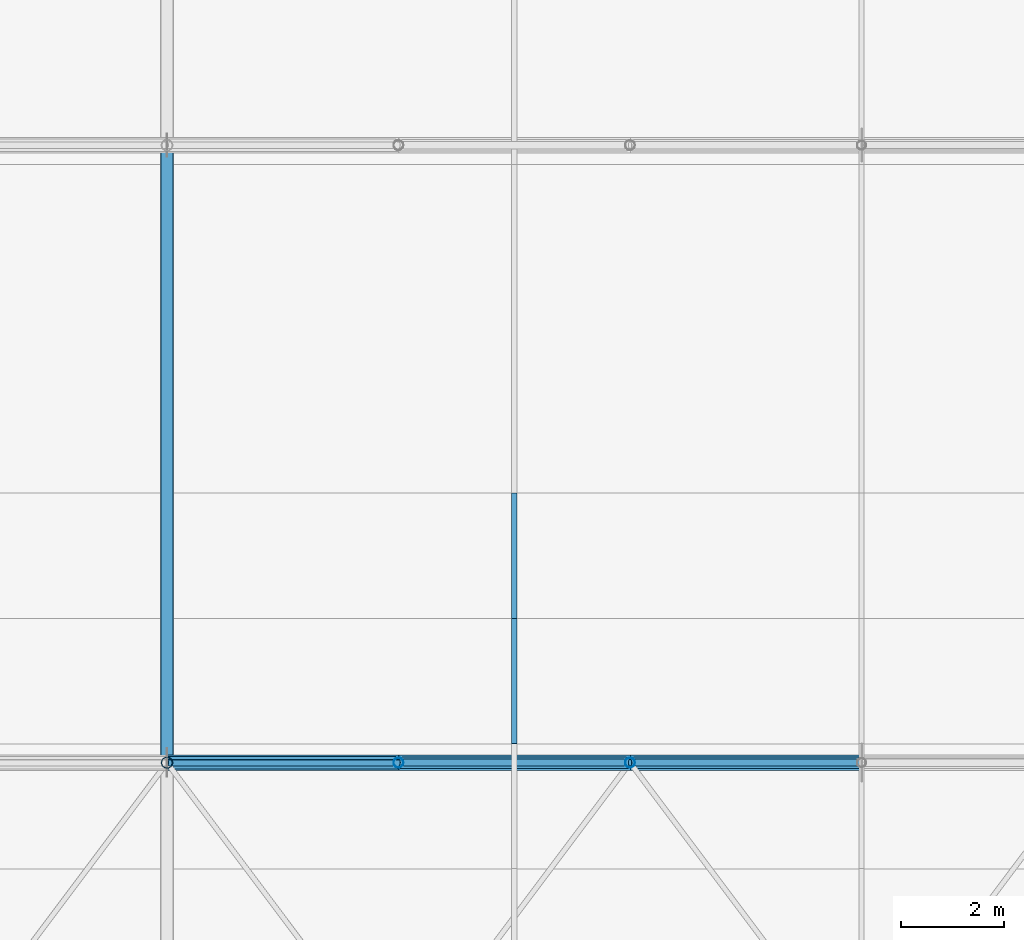
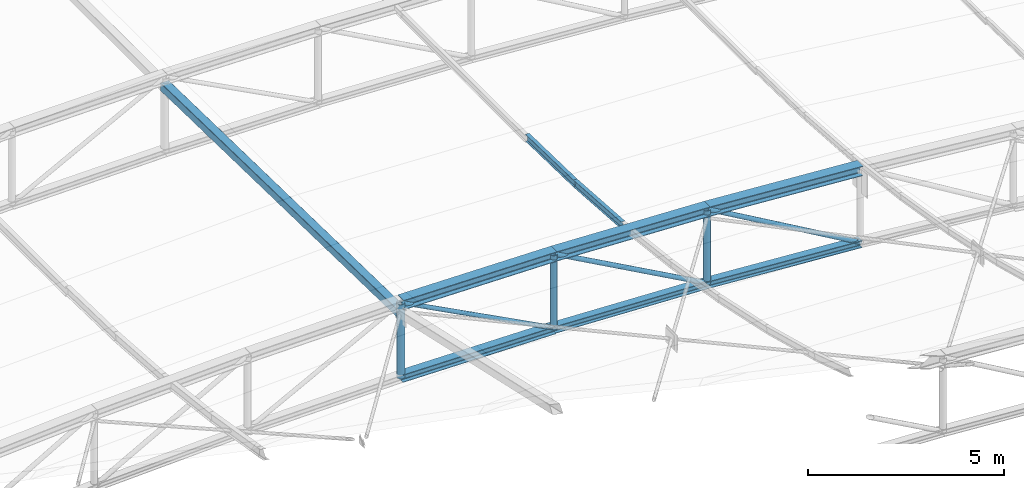
# One storey, part 90 of 262: 15 members.
"""IFC4 building model written with IfcOpenShell, lengths in metres."""

from ifc_helpers import new_model, si_unit, derived_unit, direction, frame, origin, origin_2d, place, context, subcontext, project, spatial, hollow_rectangle, hollow_circle, i_section, extrude, material, material_profile, profile_set, type_object, element, save


model = new_model("IFC4")

# Units and contexts
model_context = context("Model", 3, precision=1e-05, world=origin(), true_north=direction((0.0, 1.0)))
body_context = subcontext(model_context, "Body", "Model", "MODEL_VIEW")
ifc_project = project(units=[si_unit("LENGTHUNIT", "METRE"), si_unit("AREAUNIT", "SQUARE_METRE"), si_unit("VOLUMEUNIT", "CUBIC_METRE"), si_unit("PLANEANGLEUNIT", "RADIAN"), si_unit("MASSUNIT", "GRAM", prefix="KILO"), derived_unit("THERMALTRANSMITTANCEUNIT", [(si_unit("POWERUNIT", "WATT"), 1), (si_unit("LENGTHUNIT", "METRE"), -2), (si_unit("THERMODYNAMICTEMPERATUREUNIT", "KELVIN"), -1)])], contexts=[model_context])

# Site, building, storey
site_placement = place(None, origin())
site = spatial("IfcSite", under=ifc_project, at=site_placement, CompositionType="ELEMENT")
building_placement = place(site_placement, origin())
building = spatial("IfcBuilding", under=site, at=building_placement, Name="Almenara Railside Exhibition Hall", CompositionType="ELEMENT")
storey_placement = place(building_placement, frame((0.0, 0.0, 21.699951171875)))
storey = spatial("IfcBuildingStorey", under=building, at=storey_placement, Name="RF", CompositionType="ELEMENT", Elevation=21.699951171875)

# Members
ifc_material = material(Name="Structural steel S355JR", Category="steel")
ifc_material_profile_1 = material_profile(ifc_material, i_section(OverallWidth=0.239990234375, OverallDepth=0.239990234375, WebThickness=0.010009765625, FlangeThickness=0.01708984375, FilletRadius=0.02099609375, at=origin_2d()), Name="HEB 240")
ifc_profile_set_1 = profile_set([ifc_material_profile_1], Name="Structural steel S355JR")
member_type_1 = type_object("IfcMemberType", Name="Arched Crown Bottom Chord HEB 240 S355JR", PredefinedType="CHORD", material=ifc_profile_set_1)
member_1_placement = place(storey_placement, frame((39.0, 72.0, 0.064697265625), z_axis=(0.999908030213, 0.0, -0.013562120635), x_axis=(0.0, 1.0, 0.0)))
element("IfcMember", 1, at=member_1_placement, inside=storey, type_object=member_type_1, Name="MEM-BC-V1-02-06", PredefinedType="CHORD", context=body_context, shape_type="SweptSolid", body=[
    extrude(i_section(OverallWidth=0.239990234375, OverallDepth=0.239990234375, WebThickness=0.010009765625, FlangeThickness=0.01708984375, FilletRadius=0.02099609375, at=origin_2d()), origin(), (0.0, 0.0, 1.0), 4.50048828125),
])
ifc_material_profile_2 = material_profile(ifc_material, i_section(OverallWidth=0.300048828125, OverallDepth=0.300048828125, WebThickness=0.010986328125, FlangeThickness=0.01904296875, FilletRadius=0.027099609375, at=origin_2d()), Name="HEB 300")
ifc_profile_set_2 = profile_set([ifc_material_profile_2], Name="Structural steel S355JR")
member_type_2 = type_object("IfcMemberType", Name="Arched Inner Top Chord HEB 300 S355JR", PredefinedType="CHORD", material=ifc_profile_set_2)
member_2_placement = place(storey_placement, frame((39.0, 72.0, 2.36474609375), z_axis=(0.999908030213, 0.0, -0.013562120635), x_axis=(0.0, 1.0, 0.0)))
element("IfcMember", 2, at=member_2_placement, inside=storey, type_object=member_type_2, Name="MEM-TC-V1-02-06", PredefinedType="CHORD", context=body_context, shape_type="SweptSolid", body=[
    extrude(i_section(OverallWidth=0.300048828125, OverallDepth=0.300048828125, WebThickness=0.010986328125, FlangeThickness=0.01904296875, FilletRadius=0.027099609375, at=origin_2d()), origin(), (0.0, 0.0, 1.0), 4.50048828125),
])
member_3_placement = place(storey_placement, frame((43.5, 72.0, 2.3037109375), z_axis=(0.99917098071, 0.0, -0.04071057978), x_axis=(0.0, 1.0, 0.0)))
element("IfcMember", 3, at=member_3_placement, inside=storey, type_object=member_type_2, Name="MEM-TC-V1-02-07", PredefinedType="CHORD", context=body_context, shape_type="SweptSolid", body=[
    extrude(i_section(OverallWidth=0.300048828125, OverallDepth=0.300048828125, WebThickness=0.010986328125, FlangeThickness=0.01904296875, FilletRadius=0.027099609375, at=origin_2d()), origin(), (0.0, 0.0, 1.0), 4.503662109375),
])
member_4_placement = place(storey_placement, frame((48.0, 72.0, 2.120361328125), z_axis=(0.997701025897, 0.0, -0.067769188608), x_axis=(0.0, 1.0, 0.0)))
element("IfcMember", 4, at=member_4_placement, inside=storey, type_object=member_type_2, Name="MEM-TC-V1-02-08", PredefinedType="CHORD", context=body_context, shape_type="SweptSolid", body=[
    extrude(i_section(OverallWidth=0.300048828125, OverallDepth=0.300048828125, WebThickness=0.010986328125, FlangeThickness=0.01904296875, FilletRadius=0.027099609375, at=origin_2d()), origin(), (0.0, 0.0, 1.0), 4.51025390625),
])
ifc_material_profile_3 = material_profile(ifc_material, hollow_rectangle(XDim=0.25, YDim=0.25, WallThickness=0.010009765625, InnerFilletRadius=0.010009765625, OuterFilletRadius=0.02001953125, at=origin_2d()), Name="SHS 250x250x10")
ifc_profile_set_3 = profile_set([ifc_material_profile_3], Name="Structural steel S355JR")
member_type_3 = type_object("IfcMemberType", Name="Heavy Gable Sway Strut SHS 250x250x10 S355JR", PredefinedType="BRACE", material=ifc_profile_set_3)
member_5_placement = place(storey_placement, frame((39.0, 72.0, 2.084716796875), z_axis=(0.0, 0.999756898414, -0.022048675087), x_axis=(-1.0, 0.0, 0.0)))
element("IfcMember", 5, at=member_5_placement, inside=storey, type_object=member_type_3, Name="MEM-ES-V1-02", PredefinedType="BRACE", context=body_context, shape_type="SweptSolid", body=[
    extrude(hollow_rectangle(XDim=0.25, YDim=0.25, WallThickness=0.010009765625, InnerFilletRadius=0.010009765625, OuterFilletRadius=0.02001953125, at=origin_2d()), origin(), (0.0, 0.0, 1.0), 12.0029296875),
])
ifc_material_profile_4 = material_profile(ifc_material, i_section(OverallWidth=0.110107421875, OverallDepth=0.219970703125, WebThickness=0.005859375, FlangeThickness=0.00927734375, FilletRadius=0.011962890625, at=origin_2d()), Name="IPE 220")
ifc_profile_set_4 = profile_set([ifc_material_profile_4], Name="Structural steel S355JR")
member_type_4 = type_object("IfcMemberType", Name="Heavy Hall Roof Purlin IPE 220 S355JR", PredefinedType="PURLIN", material=ifc_profile_set_4)
member_6_placement = place(storey_placement, frame((45.75, 72.366943359375, 2.183349609375), z_axis=(0.0, 0.997528729247, -0.070259763216), x_axis=(-1.0, 0.0, 0.0)))
element("IfcMember", 6, at=member_6_placement, inside=storey, type_object=member_type_4, Name="MEM-PR-V1-PR-IPE220-05-10", PredefinedType="PURLIN", context=body_context, shape_type="SweptSolid", body=[
    extrude(i_section(OverallWidth=0.110107421875, OverallDepth=0.219970703125, WebThickness=0.005859375, FlangeThickness=0.00927734375, FilletRadius=0.011962890625, at=origin_2d()), origin(), (0.0, 0.0, 1.0), 2.44287109375),
])
member_7_placement = place(storey_placement, frame((45.75, 74.8037109375, 2.012451171875), z_axis=(0.0, 0.999725289903, -0.023438104182), x_axis=(-1.0, 0.0, 0.0)))
element("IfcMember", 7, at=member_7_placement, inside=storey, type_object=member_type_4, Name="MEM-PR-V1-PR-IPE220-05-11", PredefinedType="PURLIN", context=body_context, shape_type="SweptSolid", body=[
    extrude(i_section(OverallWidth=0.110107421875, OverallDepth=0.219970703125, WebThickness=0.005859375, FlangeThickness=0.00927734375, FilletRadius=0.011962890625, at=origin_2d()), origin(), (0.0, 0.0, 1.0), 2.4375),
])
ifc_material_profile_5 = material_profile(ifc_material, i_section(OverallWidth=0.219970703125, OverallDepth=0.219970703125, WebThickness=0.009521484375, FlangeThickness=0.01611328125, FilletRadius=0.01806640625, at=origin_2d()), Name="HEB 220")
ifc_profile_set_5 = profile_set([ifc_material_profile_5], Name="Structural steel S355JR")
member_type_5 = type_object("IfcMemberType", Name="Scroll Tie Chord HEB 220 S355JR", PredefinedType="CHORD", material=ifc_profile_set_5)
member_8_placement = place(storey_placement, frame((43.5, 72.0, 0.003662109375), z_axis=(0.99917098071, 0.0, -0.04071057978), x_axis=(0.0, 1.0, 0.0)))
element("IfcMember", 8, at=member_8_placement, inside=storey, type_object=member_type_5, Name="MEM-BC-V1-02-07", PredefinedType="CHORD", context=body_context, shape_type="SweptSolid", body=[
    extrude(i_section(OverallWidth=0.219970703125, OverallDepth=0.219970703125, WebThickness=0.009521484375, FlangeThickness=0.01611328125, FilletRadius=0.01806640625, at=origin_2d()), origin(), (0.0, 0.0, 1.0), 4.503662109375),
])
member_9_placement = place(storey_placement, frame((48.0, 72.0, -0.1796875), z_axis=(0.997704684283, 0.0, -0.067715308162), x_axis=(0.0, 1.0, 0.0)))
element("IfcMember", 9, at=member_9_placement, inside=storey, type_object=member_type_5, Name="MEM-BC-V1-02-08", PredefinedType="CHORD", context=body_context, shape_type="SweptSolid", body=[
    extrude(i_section(OverallWidth=0.219970703125, OverallDepth=0.219970703125, WebThickness=0.009521484375, FlangeThickness=0.01611328125, FilletRadius=0.01806640625, at=origin_2d()), origin(), (0.0, 0.0, 1.0), 4.51025390625),
])
ifc_material_profile_6 = material_profile(ifc_material, hollow_circle(Radius=0.0634765625, WallThickness=0.00439453125, at=origin_2d()), Name="CHS 127.0x4.5")
ifc_profile_set_6 = profile_set([ifc_material_profile_6], Name="Structural steel S355JR")
member_type_6 = type_object("IfcMemberType", Name="Truss Crown Diagonal CHS 127.0x4.5 S355JR", PredefinedType="BRACE", material=ifc_profile_set_6)
member_10_placement = place(storey_placement, frame((39.0, 72.0, 2.36474609375), z_axis=(0.885512555589, 0.0, -0.464615447326), x_axis=(0.0, 1.0, 0.0)))
element("IfcMember", 10, at=member_10_placement, inside=storey, type_object=member_type_6, Name="MEM-TD-V1-02-06", PredefinedType="BRACE", context=body_context, shape_type="SweptSolid", body=[
    extrude(hollow_circle(Radius=0.0634765625, WallThickness=0.00439453125, at=origin_2d()), origin(), (0.0, 0.0, 1.0), 5.081787109375),
])
ifc_material_profile_7 = material_profile(ifc_material, hollow_circle(Radius=0.06982421875, WallThickness=0.0048828125, at=origin_2d()), Name="CHS 139.7x5")
ifc_profile_set_7 = profile_set([ifc_material_profile_7], Name="Structural steel S355JR")
member_type_7 = type_object("IfcMemberType", Name="Truss Inner Diagonal CHS 139.7x5 S355JR", PredefinedType="BRACE", material=ifc_profile_set_7)
member_11_placement = place(storey_placement, frame((43.5, 72.0, 2.3037109375), z_axis=(0.875525025835, 0.0, -0.483172773589), x_axis=(0.0, 1.0, 0.0)))
element("IfcMember", 11, at=member_11_placement, inside=storey, type_object=member_type_7, Name="MEM-TD-V1-02-07", PredefinedType="BRACE", context=body_context, shape_type="SweptSolid", body=[
    extrude(hollow_circle(Radius=0.06982421875, WallThickness=0.0048828125, at=origin_2d()), origin(), (0.0, 0.0, 1.0), 5.139892578125),
])
member_12_placement = place(storey_placement, frame((48.0, 72.0, 2.120361328125), z_axis=(0.865409140876, 0.0, -0.501065882782), x_axis=(0.0, 1.0, 0.0)))
element("IfcMember", 12, at=member_12_placement, inside=storey, type_object=member_type_7, Name="MEM-TD-V1-02-08", PredefinedType="BRACE", context=body_context, shape_type="SweptSolid", body=[
    extrude(hollow_circle(Radius=0.06982421875, WallThickness=0.0048828125, at=origin_2d()), origin(), (0.0, 0.0, 1.0), 5.199951171875),
])
ifc_material_profile_8 = material_profile(ifc_material, hollow_circle(Radius=0.109619140625, WallThickness=0.008056640625, at=origin_2d()), Name="CHS 219.1x8")
ifc_profile_set_8 = profile_set([ifc_material_profile_8], Name="Structural steel S355JR")
member_type_8 = type_object("IfcMemberType", Name="Truss Primary Vertical Strut CHS 219.1x8 S355JR", PredefinedType="BRACE", material=ifc_profile_set_8)
member_13_placement = place(storey_placement, frame((39.0, 72.0, 0.064697265625), z_axis=(0.0, 0.0, 1.0), x_axis=(1.0, 0.0, 0.0)))
element("IfcMember", 13, at=member_13_placement, inside=storey, type_object=member_type_8, Name="MEM-TV-V1-02-06", PredefinedType="BRACE", context=body_context, shape_type="SweptSolid", body=[
    extrude(hollow_circle(Radius=0.109619140625, WallThickness=0.008056640625, at=origin_2d()), origin(), (0.0, 0.0, 1.0), 2.300048828125),
])
ifc_material_profile_9 = material_profile(ifc_material, hollow_circle(Radius=0.096923828125, WallThickness=0.00634765625, at=origin_2d()), Name="CHS 193.7x6.3")
ifc_profile_set_9 = profile_set([ifc_material_profile_9], Name="Structural steel S355JR")
member_type_9 = type_object("IfcMemberType", Name="Truss Standard Vertical Strut CHS 193.7x6.3 S355JR", PredefinedType="BRACE", material=ifc_profile_set_9)
for number, where, z_axis, x_axis, name in (
    (14, (43.5, 72.0, 0.003662109375), (0.0, 0.0, 1.0), (1.0, 0.0, 0.0), "MEM-TV-V1-02-07"),
    (15, (48.0, 72.0, -0.1796875), (0.0, 0.0, 1.0), (1.0, 0.0, 0.0), "MEM-TV-V1-02-08"),
):
    element("IfcMember", number, at=place(storey_placement, frame(where, z_axis=z_axis, x_axis=x_axis)), inside=storey, type_object=member_type_9, Name=name, PredefinedType="BRACE", context=body_context, shape_type="SweptSolid", body=[
        extrude(hollow_circle(Radius=0.096923828125, WallThickness=0.00634765625, at=origin_2d()), origin(), (0.0, 0.0, 1.0), 2.300048828125),
    ])

save(model, "model.ifc")
